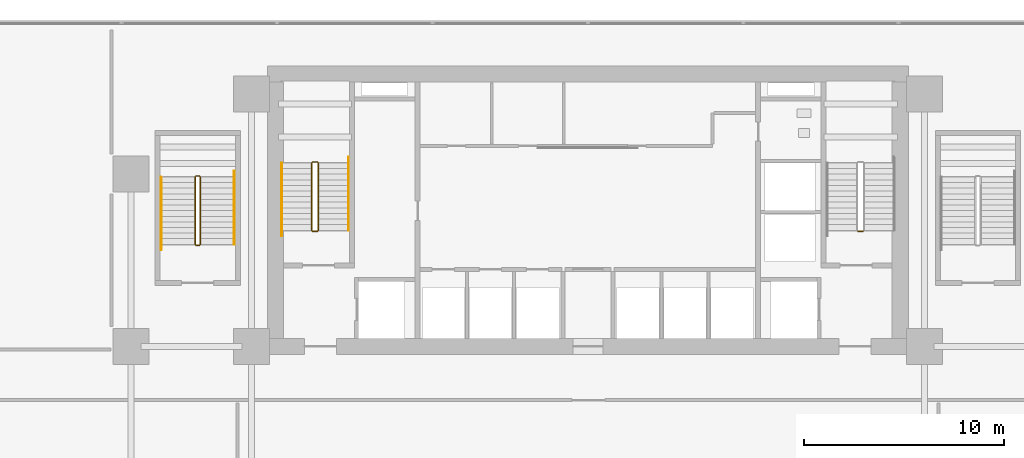
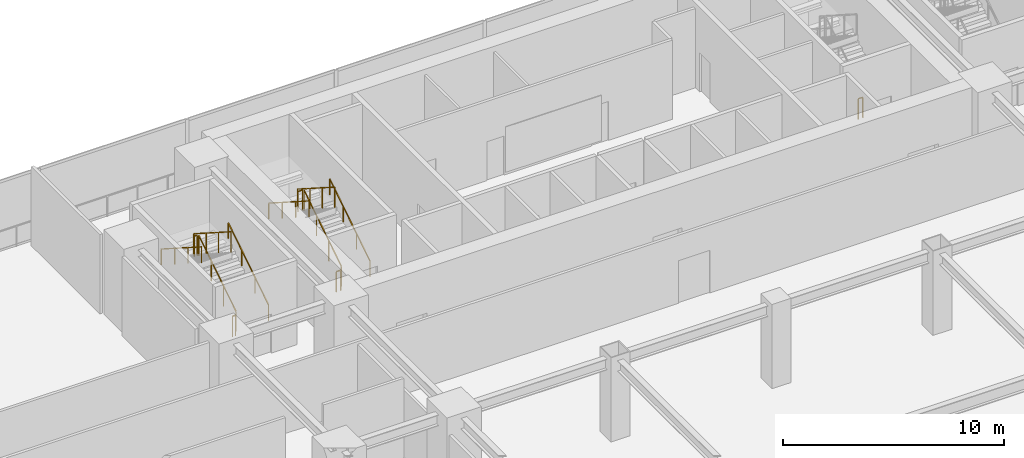
# One storey, part 13 of 17: 13 railings.
"""IFC4 building model written with IfcOpenShell, lengths in metres."""

from ifc_helpers import new_model, si_unit, direction, frame, origin, origin_2d, place, context, subcontext, project, spatial, rectangle, extrude, material, type_object, element, save


model = new_model("IFC4")

# Units and contexts
model_context = context("Model", 3, precision=1e-05, world=origin(), true_north=direction((0.0, 1.0)))
body_context = subcontext(model_context, "Body", "Model", "MODEL_VIEW")
ifc_project = project(units=[si_unit("LENGTHUNIT", "METRE"), si_unit("AREAUNIT", "SQUARE_METRE"), si_unit("VOLUMEUNIT", "CUBIC_METRE"), si_unit("PLANEANGLEUNIT", "RADIAN"), si_unit("MASSUNIT", "GRAM", prefix="KILO")], contexts=[model_context])

# Site, building, storey
site_placement = place(None, origin())
site = spatial("IfcSite", under=ifc_project, at=site_placement, CompositionType="ELEMENT")
building_placement = place(site_placement, origin())
building = spatial("IfcBuilding", under=site, at=building_placement, Name="Sumidabori Civic Tower", CompositionType="ELEMENT")
storey_placement = place(building_placement, frame((0.0, 0.0, 5.0)))
storey = spatial("IfcBuildingStorey", under=building, at=storey_placement, Name="L01", CompositionType="ELEMENT", Elevation=5.0)

# Railings
ifc_material_1 = material(Name="Stainless Steel Hairline Finish", Category="steel")
railing_type_1 = type_object("IfcRailingType", Name="RL-HANDRAIL", PredefinedType="HANDRAIL", material=ifc_material_1)
railing_1_placement = place(storey_placement, frame((-11.949951171875, 16.0, 0.178955078125)))
element("IfcRailing", 1, at=railing_1_placement, inside=storey, type_object=railing_type_1, Name="L01 ST-1 stair handrail 1", PredefinedType="HANDRAIL", context=body_context, shape_type="SweptSolid", body=[
    extrude(rectangle(XDim=0.048095703125, YDim=0.048095703125, at=origin_2d()), frame((0.0, 0.0, 0.8759765625), z_axis=(0.0, 0.842367842277, 0.538902976701), x_axis=(-1.0, 0.0, 0.0)), (0.0, 0.0, 1.0), 4.321044921875),
    extrude(rectangle(XDim=0.0419921875, YDim=0.0419921875, at=origin_2d()), origin(), (0.0, 0.0, 1.0), 0.851806640625),
    extrude(rectangle(XDim=0.0419921875, YDim=0.0419921875, at=origin_2d()), frame((0.0, 1.21337890625, 0.776123046875)), (0.0, 0.0, 1.0), 0.851806640625),
    extrude(rectangle(XDim=0.0419921875, YDim=0.0419921875, at=origin_2d()), frame((0.0, 2.426513671875, 1.552490234375)), (0.0, 0.0, 1.0), 0.851806640625),
    extrude(rectangle(XDim=0.0419921875, YDim=0.0419921875, at=origin_2d()), frame((0.0, 3.639892578125, 2.32861328125)), (0.0, 0.0, 1.0), 0.851806640625),
])
railing_2_placement = place(storey_placement, frame((-15.2900390625, 19.360107421875, 2.50390625)))
element("IfcRailing", 2, at=railing_2_placement, inside=storey, type_object=railing_type_1, Name="L01 ST-1 stair handrail 2", PredefinedType="HANDRAIL", context=body_context, shape_type="SweptSolid", body=[
    extrude(rectangle(XDim=0.048095703125, YDim=0.048095703125, at=origin_2d()), frame((0.0, 0.0, 0.8759765625), z_axis=(0.0, -0.842384249815, 0.538877328956), x_axis=(1.0, 0.0, 0.0)), (0.0, 0.0, 1.0), 4.3212890625),
    extrude(rectangle(XDim=0.0419921875, YDim=0.0419921875, at=origin_2d()), origin(), (0.0, 0.0, 1.0), 0.851806640625),
    extrude(rectangle(XDim=0.0419921875, YDim=0.0419921875, at=origin_2d()), frame((0.0, -1.21337890625, 0.776123046875)), (0.0, 0.0, 1.0), 0.851806640625),
    extrude(rectangle(XDim=0.0419921875, YDim=0.0419921875, at=origin_2d()), frame((0.0, -2.4267578125, 1.552490234375)), (0.0, 0.0, 1.0), 0.851806640625),
    extrude(rectangle(XDim=0.0419921875, YDim=0.0419921875, at=origin_2d()), frame((0.0, -3.64013671875, 2.32861328125)), (0.0, 0.0, 1.0), 0.851806640625),
])
railing_3_placement = place(storey_placement, frame((-17.64990234375, 15.300048828125, 0.178955078125)))
element("IfcRailing", 3, at=railing_3_placement, inside=storey, type_object=railing_type_1, Name="L01 ST-3 stair handrail 1", PredefinedType="HANDRAIL", context=body_context, shape_type="SweptSolid", body=[
    extrude(rectangle(XDim=0.048095703125, YDim=0.048095703125, at=origin_2d()), frame((0.0, 0.0, 0.8759765625), z_axis=(0.0, 0.842367842277, 0.538902976701), x_axis=(-1.0, 0.0, 0.0)), (0.0, 0.0, 1.0), 4.321044921875),
    extrude(rectangle(XDim=0.0419921875, YDim=0.0419921875, at=origin_2d()), origin(), (0.0, 0.0, 1.0), 0.851806640625),
    extrude(rectangle(XDim=0.0419921875, YDim=0.0419921875, at=origin_2d()), frame((0.0, 1.21337890625, 0.776123046875)), (0.0, 0.0, 1.0), 0.851806640625),
    extrude(rectangle(XDim=0.0419921875, YDim=0.0419921875, at=origin_2d()), frame((0.0, 2.426513671875, 1.552490234375)), (0.0, 0.0, 1.0), 0.851806640625),
    extrude(rectangle(XDim=0.0419921875, YDim=0.0419921875, at=origin_2d()), frame((0.0, 3.639892578125, 2.32861328125)), (0.0, 0.0, 1.0), 0.851806640625),
])
railing_4_placement = place(storey_placement, frame((-21.31005859375, 18.659912109375, 2.50390625)))
element("IfcRailing", 4, at=railing_4_placement, inside=storey, type_object=railing_type_1, Name="L01 ST-3 stair handrail 2", PredefinedType="HANDRAIL", context=body_context, shape_type="SweptSolid", body=[
    extrude(rectangle(XDim=0.048095703125, YDim=0.048095703125, at=origin_2d()), frame((0.0, 0.0, 0.8759765625), z_axis=(0.0, -0.842367842277, 0.538902976701), x_axis=(1.0, 0.0, 0.0)), (0.0, 0.0, 1.0), 4.321044921875),
    extrude(rectangle(XDim=0.0419921875, YDim=0.0419921875, at=origin_2d()), origin(), (0.0, 0.0, 1.0), 0.851806640625),
    extrude(rectangle(XDim=0.0419921875, YDim=0.0419921875, at=origin_2d()), frame((0.0, -1.21337890625, 0.776123046875)), (0.0, 0.0, 1.0), 0.851806640625),
    extrude(rectangle(XDim=0.0419921875, YDim=0.0419921875, at=origin_2d()), frame((0.0, -2.426513671875, 1.552490234375)), (0.0, 0.0, 1.0), 0.851806640625),
    extrude(rectangle(XDim=0.0419921875, YDim=0.0419921875, at=origin_2d()), frame((0.0, -3.639892578125, 2.32861328125)), (0.0, 0.0, 1.0), 0.851806640625),
])
ifc_material_2 = material(Name="Steel SN490", Category="steel")
railing_type_2 = type_object("IfcRailingType", Name="RL-STAIR-GUARD", PredefinedType="GUARDRAIL", material=ifc_material_2)
railing_5_placement = place(storey_placement, frame((-13.449951171875, 16.0, 0.178955078125)))
element("IfcRailing", 5, at=railing_5_placement, inside=storey, type_object=railing_type_2, Name="L01 ST-1 stair guard 1", PredefinedType="GUARDRAIL", context=body_context, shape_type="SweptSolid", body=[
    extrude(rectangle(XDim=0.048095703125, YDim=0.048095703125, at=origin_2d()), frame((0.0, 0.0, 1.1259765625), z_axis=(0.0, 0.842780368268, 0.538257606414), x_axis=(-1.0, 0.0, 0.0)), (0.0, 0.0, 1.0), 3.98681640625),
    extrude(rectangle(XDim=0.0419921875, YDim=0.0419921875, at=origin_2d()), origin(), (0.0, 0.0, 1.0), 1.101806640625),
    extrude(rectangle(XDim=0.0419921875, YDim=0.0419921875, at=origin_2d()), frame((0.0, 1.1201171875, 0.71533203125)), (0.0, 0.0, 1.0), 1.101806640625),
    extrude(rectangle(XDim=0.0419921875, YDim=0.0419921875, at=origin_2d()), frame((0.0, 2.239990234375, 1.4306640625)), (0.0, 0.0, 1.0), 1.101806640625),
    extrude(rectangle(XDim=0.0419921875, YDim=0.0419921875, at=origin_2d()), frame((0.0, 3.360107421875, 2.14599609375)), (0.0, 0.0, 1.0), 1.101806640625),
])
railing_6_placement = place(storey_placement, frame((-13.5, 19.409912109375, 2.324951171875)))
element("IfcRailing", 6, at=railing_6_placement, inside=storey, type_object=railing_type_2, Name="L01 ST-1 stair guard 2", PredefinedType="GUARDRAIL", context=body_context, shape_type="SweptSolid", body=[
    extrude(rectangle(XDim=0.048095703125, YDim=0.048095703125, at=origin_2d()), frame((0.0, 0.0, 1.1259765625), z_axis=(-1.0, 0.0, 0.0), x_axis=(0.0, -1.0, 0.0)), (0.0, 0.0, 1.0), 0.239990234375),
    extrude(rectangle(XDim=0.0419921875, YDim=0.0419921875, at=origin_2d()), origin(), (0.0, 0.0, 1.0), 1.101806640625),
    extrude(rectangle(XDim=0.0419921875, YDim=0.0419921875, at=origin_2d()), frame((-0.239990234375, 0.0, 0.0)), (0.0, 0.0, 1.0), 1.101806640625),
])
railing_7_placement = place(storey_placement, frame((-13.7900390625, 19.360107421875, 2.50390625)))
element("IfcRailing", 7, at=railing_7_placement, inside=storey, type_object=railing_type_2, Name="L01 ST-1 stair guard 3", PredefinedType="GUARDRAIL", context=body_context, shape_type="SweptSolid", body=[
    extrude(rectangle(XDim=0.048095703125, YDim=0.048095703125, at=origin_2d()), frame((0.0, 0.0, 1.1259765625), z_axis=(0.0, -0.842780368268, 0.538257606414), x_axis=(1.0, 0.0, 0.0)), (0.0, 0.0, 1.0), 3.98681640625),
    extrude(rectangle(XDim=0.0419921875, YDim=0.0419921875, at=origin_2d()), origin(), (0.0, 0.0, 1.0), 1.101806640625),
    extrude(rectangle(XDim=0.0419921875, YDim=0.0419921875, at=origin_2d()), frame((0.0, -1.1201171875, 0.71533203125)), (0.0, 0.0, 1.0), 1.101806640625),
    extrude(rectangle(XDim=0.0419921875, YDim=0.0419921875, at=origin_2d()), frame((0.0, -2.239990234375, 1.4306640625)), (0.0, 0.0, 1.0), 1.101806640625),
    extrude(rectangle(XDim=0.0419921875, YDim=0.0419921875, at=origin_2d()), frame((0.0, -3.360107421875, 2.14599609375)), (0.0, 0.0, 1.0), 1.101806640625),
])
for number, where, name in (
    (8, (-13.5, 15.949951171875, 0.0), "L01 ST-1 stair guard 4"),
    (9, (13.739990234375, 15.949951171875, 0.0), "L01 ST-2 stair guard 4"),
):
    element("IfcRailing", number, at=place(storey_placement, frame(where)), inside=storey, type_object=railing_type_2, Name=name, PredefinedType="GUARDRAIL", context=body_context, shape_type="SweptSolid", body=[
        extrude(rectangle(XDim=0.048095703125, YDim=0.048095703125, at=origin_2d()), frame((0.0, 0.0, 1.1259765625), z_axis=(-1.0, 0.0, 0.0), x_axis=(0.0, -1.0, 0.0)), (0.0, 0.0, 1.0), 0.239990234375),
        extrude(rectangle(XDim=0.0419921875, YDim=0.0419921875, at=origin_2d()), origin(), (0.0, 0.0, 1.0), 1.101806640625),
        extrude(rectangle(XDim=0.0419921875, YDim=0.0419921875, at=origin_2d()), frame((-0.239990234375, 0.0, 0.0)), (0.0, 0.0, 1.0), 1.101806640625),
    ])
railing_8_placement = place(storey_placement, frame((-19.35009765625, 15.300048828125, 0.178955078125)))
element("IfcRailing", 10, at=railing_8_placement, inside=storey, type_object=railing_type_2, Name="L01 ST-3 stair guard 1", PredefinedType="GUARDRAIL", context=body_context, shape_type="SweptSolid", body=[
    extrude(rectangle(XDim=0.048095703125, YDim=0.048095703125, at=origin_2d()), frame((0.0, 0.0, 1.1259765625), z_axis=(0.0, 0.842762625749, 0.538285385869), x_axis=(-1.0, 0.0, 0.0)), (0.0, 0.0, 1.0), 3.98681640625),
    extrude(rectangle(XDim=0.0419921875, YDim=0.0419921875, at=origin_2d()), origin(), (0.0, 0.0, 1.0), 1.101806640625),
    extrude(rectangle(XDim=0.0419921875, YDim=0.0419921875, at=origin_2d()), frame((0.0, 1.119873046875, 0.71533203125)), (0.0, 0.0, 1.0), 1.101806640625),
    extrude(rectangle(XDim=0.0419921875, YDim=0.0419921875, at=origin_2d()), frame((0.0, 2.239990234375, 1.4306640625)), (0.0, 0.0, 1.0), 1.101806640625),
    extrude(rectangle(XDim=0.0419921875, YDim=0.0419921875, at=origin_2d()), frame((0.0, 3.35986328125, 2.14599609375)), (0.0, 0.0, 1.0), 1.101806640625),
])
railing_9_placement = place(storey_placement, frame((-19.39990234375, 18.7099609375, 2.324951171875)))
element("IfcRailing", 11, at=railing_9_placement, inside=storey, type_object=railing_type_2, Name="L01 ST-3 stair guard 2", PredefinedType="GUARDRAIL", context=body_context, shape_type="SweptSolid", body=[
    extrude(rectangle(XDim=0.048095703125, YDim=0.048095703125, at=origin_2d()), frame((0.0, 0.0, 1.1259765625), z_axis=(-1.0, 0.0, 0.0), x_axis=(0.0, -1.0, 0.0)), (0.0, 0.0, 1.0), 0.16015625),
    extrude(rectangle(XDim=0.0419921875, YDim=0.0419921875, at=origin_2d()), origin(), (0.0, 0.0, 1.0), 1.101806640625),
    extrude(rectangle(XDim=0.0419921875, YDim=0.0419921875, at=origin_2d()), frame((-0.16015625, 0.0, 0.0)), (0.0, 0.0, 1.0), 1.101806640625),
])
railing_10_placement = place(storey_placement, frame((-19.610107421875, 18.659912109375, 2.50390625)))
element("IfcRailing", 12, at=railing_10_placement, inside=storey, type_object=railing_type_2, Name="L01 ST-3 stair guard 3", PredefinedType="GUARDRAIL", context=body_context, shape_type="SweptSolid", body=[
    extrude(rectangle(XDim=0.048095703125, YDim=0.048095703125, at=origin_2d()), frame((0.0, 0.0, 1.1259765625), z_axis=(0.0, -0.842762625749, 0.538285385869), x_axis=(1.0, 0.0, 0.0)), (0.0, 0.0, 1.0), 3.98681640625),
    extrude(rectangle(XDim=0.0419921875, YDim=0.0419921875, at=origin_2d()), origin(), (0.0, 0.0, 1.0), 1.101806640625),
    extrude(rectangle(XDim=0.0419921875, YDim=0.0419921875, at=origin_2d()), frame((0.0, -1.119873046875, 0.71533203125)), (0.0, 0.0, 1.0), 1.101806640625),
    extrude(rectangle(XDim=0.0419921875, YDim=0.0419921875, at=origin_2d()), frame((0.0, -2.239990234375, 1.4306640625)), (0.0, 0.0, 1.0), 1.101806640625),
    extrude(rectangle(XDim=0.0419921875, YDim=0.0419921875, at=origin_2d()), frame((0.0, -3.35986328125, 2.14599609375)), (0.0, 0.0, 1.0), 1.101806640625),
])
railing_11_placement = place(storey_placement, frame((-19.39990234375, 15.25, 0.0)))
element("IfcRailing", 13, at=railing_11_placement, inside=storey, type_object=railing_type_2, Name="L01 ST-3 stair guard 4", PredefinedType="GUARDRAIL", context=body_context, shape_type="SweptSolid", body=[
    extrude(rectangle(XDim=0.048095703125, YDim=0.048095703125, at=origin_2d()), frame((0.0, 0.0, 1.1259765625), z_axis=(-1.0, 0.0, 0.0), x_axis=(0.0, -1.0, 0.0)), (0.0, 0.0, 1.0), 0.16015625),
    extrude(rectangle(XDim=0.0419921875, YDim=0.0419921875, at=origin_2d()), origin(), (0.0, 0.0, 1.0), 1.101806640625),
    extrude(rectangle(XDim=0.0419921875, YDim=0.0419921875, at=origin_2d()), frame((-0.16015625, 0.0, 0.0)), (0.0, 0.0, 1.0), 1.101806640625),
])

save(model, "model.ifc")
